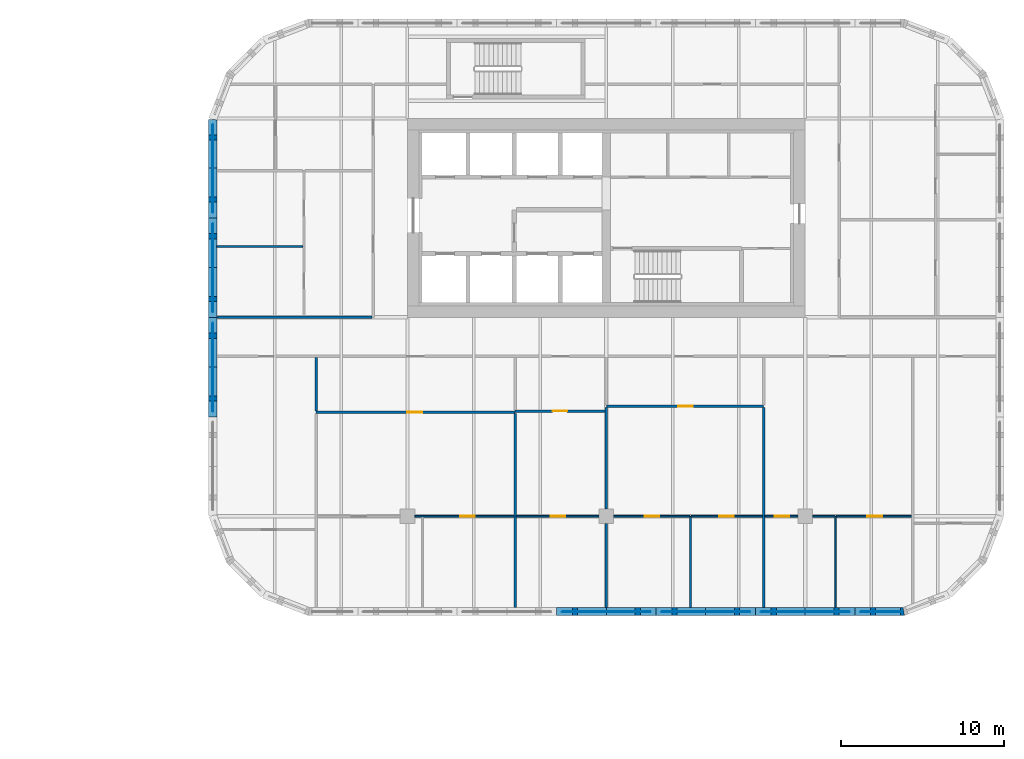
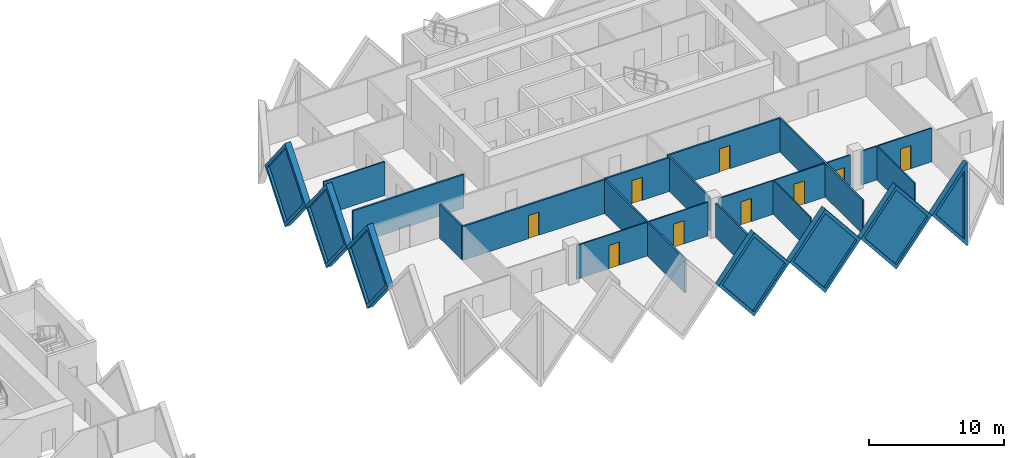
# One storey, part 12 of 19: 26 walls, 9 doors, 7 plates, 16 openings.
"""IFC4 building model written with IfcOpenShell, lengths in metres."""

from ifc_helpers import new_model, si_unit, direction, frame, frame_2d, origin, place, context, subcontext, project, spatial, polyline, rectangle, outline, extrude, faceted_brep, source, transform, mapped, material, layer, layer_set, type_object, element, fill, save


model = new_model("IFC4")

# Units and contexts
model_context = context("Model", 3, precision=1e-05, world=origin(), true_north=direction((0.0, 1.0)))
body_context = subcontext(model_context, "Body", "Model", "MODEL_VIEW")
ifc_project = project(units=[si_unit("LENGTHUNIT", "METRE"), si_unit("AREAUNIT", "SQUARE_METRE"), si_unit("VOLUMEUNIT", "CUBIC_METRE"), si_unit("PLANEANGLEUNIT", "RADIAN"), si_unit("MASSUNIT", "GRAM", prefix="KILO")], contexts=[model_context])

# Site, building, storey
site_placement = place(None, origin())
site = spatial("IfcSite", under=ifc_project, at=site_placement, CompositionType="ELEMENT")
building_placement = place(site_placement, origin())
building = spatial("IfcBuilding", under=site, at=building_placement, Name="Tessera Gate Towers", CompositionType="ELEMENT")
storey_placement = place(building_placement, frame((0.0, 0.0, 33.39990234375)))
storey = spatial("IfcBuildingStorey", under=building, at=storey_placement, Name="L07", CompositionType="ELEMENT", Elevation=33.39990234375)

# Walls
ifc_material_1 = material(Name="Gypsum board on steel studs, mineral wool", Category="steel")
ifc_layer_1 = layer(ifc_material_1, 0.14990234375)
ifc_layer_set_1 = layer_set([ifc_layer_1], Name="CORRIDOR WALL 150")
wall_type_1 = type_object("IfcWallType", Name="CORRIDOR WALL 150", PredefinedType="PARTITIONING", material=ifc_layer_set_1)
wall_1_placement = place(storey_placement, frame((85.89990234375, 36.60009765625, 0.0), z_axis=(0.0, 0.0, 1.0), x_axis=(1.0, 0.0, 0.0)))
element("IfcWall", 1, at=wall_1_placement, inside=storey, type_object=wall_type_1, Name="T2-L07-PW-028", PredefinedType="PARTITIONING", context=body_context, shape_type="SweptSolid", body=[
    extrude(rectangle(XDim=9.524169921875, YDim=0.14990234375, at=frame_2d((4.76220703125, 0.0))), origin(), (0.0, 0.0, 1.0), 3.067138671875),
])
ifc_material_2 = material(Name="Gypsum board on steel studs", Category="steel")
ifc_layer_2 = layer(ifc_material_2, 0.10009765625)
ifc_layer_set_2 = layer_set([ifc_layer_2], Name="PARTITION 100")
wall_type_2 = type_object("IfcWallType", Name="PARTITION 100", PredefinedType="PARTITIONING", material=ifc_layer_set_2)
for number, where, z_axis, x_axis, name in (
    (2, (114.962890625, 18.800048828125, 0.0), (0.0, 0.0, 1.0), (0.0, 1.0, 0.0), "T2-L07-PW-005"),
    (3, (123.8701171875, 18.800048828125, 0.0), (0.0, 0.0, 1.0), (0.0, 1.0, 0.0), "T2-L07-PW-007"),
):
    element("IfcWall", number, at=place(storey_placement, frame(where, z_axis=z_axis, x_axis=x_axis)), inside=storey, type_object=wall_type_2, Name=name, PredefinedType="PARTITIONING", context=body_context, shape_type="SweptSolid", body=[
        extrude(rectangle(XDim=5.599853515625, YDim=0.10009765625, at=frame_2d((2.7998046875, 0.0))), origin(), (0.0, 0.0, 1.0), 3.067138671875),
    ])

# Wall, opening, door
wall_2_placement = place(storey_placement, frame((104.1240234375, 24.39990234375, 0.0), z_axis=(0.0, 0.0, 1.0), x_axis=(-1.0, 0.0, 0.0)))
wall_2 = element("IfcWall", 4, at=wall_2_placement, inside=storey, type_object=wall_type_2, Name="T2-L07-PW-012", PredefinedType="PARTITIONING", context=body_context, shape_type="SweptSolid", body=[
    extrude(rectangle(XDim=6.072998046875, YDim=0.10009765625, at=frame_2d((3.03662109375, 0.0))), origin(), (0.0, 0.0, 1.0), 3.067138671875),
])
shared_shape_1 = source(origin(), body_context, "Body", "SweptSolid", [
    extrude(rectangle(XDim=0.89990234375, YDim=2.10009765625, at=frame_2d((0.449951171875, 1.050048828125))), frame((0.0, 0.06005859375, 0.0), z_axis=(0.0, -1.0, 0.0), x_axis=(1.0, 0.0, 0.0)), (0.0, 0.0, 1.0), 0.1201171875),
])
opening_1_placement = place(wall_2_placement, frame((2.39599609375, 0.0, 0.0)))
opening_1 = element("IfcOpeningElement", 5, at=opening_1_placement, cuts=wall_2, Name="Opening D190-B03-12", PredefinedType="OPENING", context=body_context, shape_type="MappedRepresentation", body=[
    mapped(shared_shape_1, transform((0.0, 0.0, 0.0), scale=1.0)),
])
ifc_material_3 = material(Name="Timber door leaf in steel frame", Category="steel")
door_type = type_object("IfcDoorType", Name="INTERNAL DOOR 900 NOT RATED", OperationType="NOTDEFINED", PredefinedType="DOOR", material=ifc_material_3)
shared_shape_2 = source(origin(), body_context, "Body", "SweptSolid", [
    extrude(rectangle(XDim=0.89990234375, YDim=2.10009765625, at=frame_2d((0.449951171875, 1.050048828125))), frame((0.0, 0.02490234375, 0.0), z_axis=(0.0, -1.0, 0.0), x_axis=(1.0, 0.0, 0.0)), (0.0, 0.0, 1.0), 0.050048828125),
])
door_1_placement = place(opening_1_placement, origin())
door_1 = element("IfcDoor", 6, at=door_1_placement, inside=storey, type_object=door_type, Name="T2-L07-PD-015", OperationType="SINGLE_SWING_RIGHT", OverallHeight=2.10009765625, OverallWidth=0.89990234375, PredefinedType="DOOR", context=body_context, shape_type="MappedRepresentation", body=[
    mapped(shared_shape_2, transform((0.0, 0.0, 0.0), scale=1.0)),
])
fill(opening_1, door_1)

wall_3_placement = place(storey_placement, frame((109.34912109375, 24.39990234375, 0.0), z_axis=(0.0, 0.0, 1.0), x_axis=(-1.0, 0.0, 0.0)))
wall_3 = element("IfcWall", 7, at=wall_3_placement, inside=storey, type_object=wall_type_2, Name="T2-L07-PW-013", PredefinedType="PARTITIONING", context=body_context, shape_type="SweptSolid", body=[
    extrude(rectangle(XDim=5.0732421875, YDim=0.10009765625, at=frame_2d((2.53662109375, 0.0))), origin(), (0.0, 0.0, 1.0), 3.067138671875),
])
opening_2_placement = place(wall_3_placement, frame((2.072998046875, 0.0, 0.0)))
opening_2 = element("IfcOpeningElement", 8, at=opening_2_placement, cuts=wall_3, Name="Opening D190-B03-08", PredefinedType="OPENING", context=body_context, shape_type="MappedRepresentation", body=[
    mapped(shared_shape_1, transform((0.0, 0.0, 0.0), scale=1.0)),
])
door_2_placement = place(opening_2_placement, origin())
door_2 = element("IfcDoor", 9, at=door_2_placement, inside=storey, type_object=door_type, Name="T2-L07-PD-009", OperationType="SINGLE_SWING_RIGHT", OverallHeight=2.10009765625, OverallWidth=0.89990234375, PredefinedType="DOOR", context=body_context, shape_type="MappedRepresentation", body=[
    mapped(shared_shape_2, transform((0.0, 0.0, 0.0), scale=1.0)),
])
fill(opening_2, door_2)

wall_4_placement = place(storey_placement, frame((114.91162109375, 24.39990234375, 0.0), z_axis=(0.0, 0.0, 1.0), x_axis=(-1.0, 0.0, 0.0)))
wall_4 = element("IfcWall", 10, at=wall_4_placement, inside=storey, type_object=wall_type_2, Name="T2-L07-PW-014", PredefinedType="PARTITIONING", context=body_context, shape_type="SweptSolid", body=[
    extrude(rectangle(XDim=4.66064453125, YDim=0.10009765625, at=frame_2d((2.330322265625, 0.0))), origin(), (0.0, 0.0, 1.0), 3.067138671875),
])
opening_3_placement = place(wall_4_placement, frame((1.860595703125, 0.0, 0.0)))
opening_3 = element("IfcOpeningElement", 11, at=opening_3_placement, cuts=wall_4, Name="Opening D190-B03-07", PredefinedType="OPENING", context=body_context, shape_type="MappedRepresentation", body=[
    mapped(shared_shape_1, transform((0.0, 0.0, 0.0), scale=1.0)),
])
door_3_placement = place(opening_3_placement, origin())
door_3 = element("IfcDoor", 12, at=door_3_placement, inside=storey, type_object=door_type, Name="T2-L07-PD-007", OperationType="SINGLE_SWING_RIGHT", OverallHeight=2.10009765625, OverallWidth=0.89990234375, PredefinedType="DOOR", context=body_context, shape_type="MappedRepresentation", body=[
    mapped(shared_shape_2, transform((0.0, 0.0, 0.0), scale=1.0)),
])
fill(opening_3, door_3)

wall_5_placement = place(storey_placement, frame((119.3740234375, 24.39990234375, 0.0), z_axis=(0.0, 0.0, 1.0), x_axis=(-1.0, 0.0, 0.0)))
wall_5 = element("IfcWall", 13, at=wall_5_placement, inside=storey, type_object=wall_type_2, Name="T2-L07-PW-015", PredefinedType="PARTITIONING", context=body_context, shape_type="SweptSolid", body=[
    extrude(rectangle(XDim=4.360107421875, YDim=0.10009765625, at=frame_2d((2.18017578125, 0.0))), origin(), (0.0, 0.0, 1.0), 3.067138671875),
])
opening_4_placement = place(wall_5_placement, frame((1.76025390625, 0.0, 0.0)))
opening_4 = element("IfcOpeningElement", 14, at=opening_4_placement, cuts=wall_5, Name="Opening D190-B03-04", PredefinedType="OPENING", context=body_context, shape_type="MappedRepresentation", body=[
    mapped(shared_shape_1, transform((0.0, 0.0, 0.0), scale=1.0)),
])
door_4_placement = place(opening_4_placement, origin())
door_4 = element("IfcDoor", 15, at=door_4_placement, inside=storey, type_object=door_type, Name="T2-L07-PD-004", OperationType="SINGLE_SWING_RIGHT", OverallHeight=2.10009765625, OverallWidth=0.89990234375, PredefinedType="DOOR", context=body_context, shape_type="MappedRepresentation", body=[
    mapped(shared_shape_2, transform((0.0, 0.0, 0.0), scale=1.0)),
])
fill(opening_4, door_4)

wall_6_placement = place(storey_placement, frame((121.549072265625, 24.39990234375, 0.0), z_axis=(0.0, 0.0, 1.0), x_axis=(-1.0, 0.0, 0.0)))
wall_6 = element("IfcWall", 16, at=wall_6_placement, inside=storey, type_object=wall_type_2, Name="T2-L07-PW-016", PredefinedType="PARTITIONING", context=body_context, shape_type="SweptSolid", body=[
    extrude(rectangle(XDim=2.023193359375, YDim=0.10009765625, at=frame_2d((1.01171875, 0.0))), origin(), (0.0, 0.0, 1.0), 3.067138671875),
])
opening_5_placement = place(wall_6_placement, frame((0.52294921875, 0.0, 0.0)))
opening_5 = element("IfcOpeningElement", 17, at=opening_5_placement, cuts=wall_6, Name="Opening D190-B03-01", PredefinedType="OPENING", context=body_context, shape_type="MappedRepresentation", body=[
    mapped(shared_shape_1, transform((0.0, 0.0, 0.0), scale=1.0)),
])
door_5_placement = place(opening_5_placement, origin())
door_5 = element("IfcDoor", 18, at=door_5_placement, inside=storey, type_object=door_type, Name="T2-L07-PD-001", OperationType="SINGLE_SWING_RIGHT", OverallHeight=2.10009765625, OverallWidth=0.89990234375, PredefinedType="DOOR", context=body_context, shape_type="MappedRepresentation", body=[
    mapped(shared_shape_2, transform((0.0, 0.0, 0.0), scale=1.0)),
])
fill(opening_5, door_5)

# Wall
wall_7_placement = place(storey_placement, frame((122.450927734375, 24.39990234375, 0.0), z_axis=(0.0, 0.0, 1.0), x_axis=(1.0, 0.0, 0.0)))
element("IfcWall", 19, at=wall_7_placement, inside=storey, type_object=wall_type_2, Name="T2-L07-PW-017", PredefinedType="PARTITIONING", context=body_context, shape_type="SweptSolid", body=[
    extrude(rectangle(XDim=1.368408203125, YDim=0.10009765625, at=frame_2d((0.68408203125, 0.0))), origin(), (0.0, 0.0, 1.0), 3.067138671875),
])

# Wall, opening, door
wall_8_placement = place(storey_placement, frame((128.52392578125, 24.39990234375, 0.0), z_axis=(0.0, 0.0, 1.0), x_axis=(-1.0, 0.0, 0.0)))
wall_8 = element("IfcWall", 20, at=wall_8_placement, inside=storey, type_object=wall_type_2, Name="T2-L07-PW-018", PredefinedType="PARTITIONING", context=body_context, shape_type="SweptSolid", body=[
    extrude(rectangle(XDim=4.6025390625, YDim=0.10009765625, at=frame_2d((2.30126953125, 0.0))), origin(), (0.0, 0.0, 1.0), 3.067138671875),
])
opening_6_placement = place(wall_8_placement, frame((1.802734375, 0.0, 0.0)))
opening_6 = element("IfcOpeningElement", 21, at=opening_6_placement, cuts=wall_8, Name="Opening D190-B03-05", PredefinedType="OPENING", context=body_context, shape_type="MappedRepresentation", body=[
    mapped(shared_shape_1, transform((0.0, 0.0, 0.0), scale=1.0)),
])
door_6_placement = place(opening_6_placement, origin())
door_6 = element("IfcDoor", 22, at=door_6_placement, inside=storey, type_object=door_type, Name="T2-L07-PD-005", OperationType="SINGLE_SWING_RIGHT", OverallHeight=2.10009765625, OverallWidth=0.89990234375, PredefinedType="DOOR", context=body_context, shape_type="MappedRepresentation", body=[
    mapped(shared_shape_2, transform((0.0, 0.0, 0.0), scale=1.0)),
])
fill(opening_6, door_6)

# Walls
wall_9_placement = place(storey_placement, frame((85.89990234375, 40.947998046875, 0.0), z_axis=(0.0, 0.0, 1.0), x_axis=(1.0, 0.0, 0.0)))
element("IfcWall", 23, at=wall_9_placement, inside=storey, type_object=wall_type_2, Name="T2-L07-PW-034", PredefinedType="PARTITIONING", context=body_context, shape_type="SweptSolid", body=[
    extrude(rectangle(XDim=5.274169921875, YDim=0.10009765625, at=frame_2d((2.63720703125, 0.0))), origin(), (0.0, 0.0, 1.0), 3.067138671875),
])
ifc_material_4 = material(Name="Gypsum board on steel studs, mineral wool", Category="steel")
ifc_layer_3 = layer(ifc_material_4, 0.14990234375)
ifc_layer_set_3 = layer_set([ifc_layer_3], Name="TENANCY WALL 150")
wall_type_3 = type_object("IfcWallType", Name="TENANCY WALL 150", PredefinedType="PARTITIONING", material=ifc_layer_set_3)
wall_10_placement = place(storey_placement, frame((104.199951171875, 18.800048828125, 0.0), z_axis=(0.0, 0.0, 1.0), x_axis=(0.0, 1.0, 0.0)))
element("IfcWall", 24, at=wall_10_placement, inside=storey, type_object=wall_type_3, Name="T2-L07-PW-003", PredefinedType="PARTITIONING", context=body_context, shape_type="SweptSolid", body=[
    extrude(rectangle(XDim=11.89892578125, YDim=0.14990234375, at=frame_2d((5.949462890625, 0.0))), origin(), (0.0, 0.0, 1.0), 3.067138671875),
])
wall_11_placement = place(storey_placement, frame((109.800048828125, 18.800048828125, 0.0), z_axis=(0.0, 0.0, 1.0), x_axis=(0.0, 1.0, 0.0)))
element("IfcWall", 25, at=wall_11_placement, inside=storey, type_object=wall_type_3, Name="T2-L07-PW-004", PredefinedType="PARTITIONING", context=body_context, shape_type="SweptSolid", body=[
    extrude(rectangle(XDim=5.14892578125, YDim=0.14990234375, at=frame_2d((2.574462890625, 0.0))), origin(), (0.0, 0.0, 1.0), 3.067138671875),
])
wall_12_placement = place(storey_placement, frame((119.449951171875, 18.800048828125, 0.0), z_axis=(0.0, 0.0, 1.0), x_axis=(0.0, 1.0, 0.0)))
element("IfcWall", 26, at=wall_12_placement, inside=storey, type_object=wall_type_3, Name="T2-L07-PW-006", PredefinedType="PARTITIONING", context=body_context, shape_type="SweptSolid", body=[
    extrude(rectangle(XDim=12.27392578125, YDim=0.14990234375, at=frame_2d((6.136962890625, 0.0))), origin(), (0.0, 0.0, 1.0), 3.067138671875),
])
wall_13_placement = place(storey_placement, frame((109.800048828125, 24.85107421875, 0.0), z_axis=(0.0, 0.0, 1.0), x_axis=(0.0, 1.0, 0.0)))
element("IfcWall", 27, at=wall_13_placement, inside=storey, type_object=wall_type_3, Name="T2-L07-PW-019", PredefinedType="PARTITIONING", context=body_context, shape_type="SweptSolid", body=[
    extrude(rectangle(XDim=6.222900390625, YDim=0.14990234375, at=frame_2d((3.111328125, 0.0))), origin(), (0.0, 0.0, 1.0), 3.067138671875),
])

# Wall, opening, door
wall_14_placement = place(storey_placement, frame((104.199951171875, 30.77490234375, 0.0), z_axis=(0.0, 0.0, 1.0), x_axis=(-1.0, 0.0, 0.0)))
wall_14 = element("IfcWall", 28, at=wall_14_placement, inside=storey, type_object=wall_type_3, Name="T2-L07-PW-020", PredefinedType="PARTITIONING", context=body_context, shape_type="SweptSolid", body=[
    extrude(rectangle(XDim=12.199951171875, YDim=0.14990234375, at=frame_2d((6.10009765625, 0.0))), origin(), (0.0, 0.0, 1.0), 3.067138671875),
])
shared_shape_3 = source(origin(), body_context, "Body", "SweptSolid", [
    extrude(rectangle(XDim=0.89990234375, YDim=2.10009765625, at=frame_2d((0.449951171875, 1.050048828125))), frame((0.0, 0.0849609375, 0.0), z_axis=(0.0, -1.0, 0.0), x_axis=(1.0, 0.0, 0.0)), (0.0, 0.0, 1.0), 0.169921875),
])
opening_7_placement = place(wall_14_placement, frame((5.699951171875, 0.0, 0.0)))
opening_7 = element("IfcOpeningElement", 29, at=opening_7_placement, cuts=wall_14, Name="Opening D190-B03-17", PredefinedType="OPENING", context=body_context, shape_type="MappedRepresentation", body=[
    mapped(shared_shape_3, transform((0.0, 0.0, 0.0), scale=1.0)),
])
door_7_placement = place(opening_7_placement, origin())
door_7 = element("IfcDoor", 30, at=door_7_placement, inside=storey, type_object=door_type, Name="T2-L07-PD-027", OperationType="SINGLE_SWING_RIGHT", OverallHeight=2.10009765625, OverallWidth=0.89990234375, PredefinedType="DOOR", context=body_context, shape_type="MappedRepresentation", body=[
    mapped(shared_shape_2, transform((0.0, 0.0, 0.0), scale=1.0)),
])
fill(opening_7, door_7)

# Wall
wall_15_placement = place(storey_placement, frame((92.0, 30.85107421875, 0.0), z_axis=(0.0, 0.0, 1.0), x_axis=(0.0, 1.0, 0.0)))
element("IfcWall", 31, at=wall_15_placement, inside=storey, type_object=wall_type_3, Name="T2-L07-PW-021", PredefinedType="PARTITIONING", context=body_context, shape_type="SweptSolid", body=[
    extrude(rectangle(XDim=3.27294921875, YDim=0.14990234375, at=frame_2d((1.636474609375, 0.0))), origin(), (0.0, 0.0, 1.0), 3.067138671875),
])

# Wall, opening, door
wall_16_placement = place(storey_placement, frame((109.72412109375, 30.85009765625, 0.0), z_axis=(0.0, 0.0, 1.0), x_axis=(-1.0, 0.0, 0.0)))
wall_16 = element("IfcWall", 32, at=wall_16_placement, inside=storey, type_object=wall_type_3, Name="T2-L07-PW-022", PredefinedType="PARTITIONING", context=body_context, shape_type="SweptSolid", body=[
    extrude(rectangle(XDim=5.523193359375, YDim=0.14990234375, at=frame_2d((2.76171875, 0.0))), origin(), (0.0, 0.0, 1.0), 3.067138671875),
])
opening_8_placement = place(wall_16_placement, frame((2.322998046875, 0.0, 0.0)))
opening_8 = element("IfcOpeningElement", 33, at=opening_8_placement, cuts=wall_16, Name="Opening D190-B03-10", PredefinedType="OPENING", context=body_context, shape_type="MappedRepresentation", body=[
    mapped(shared_shape_3, transform((0.0, 0.0, 0.0), scale=1.0)),
])
door_8_placement = place(opening_8_placement, origin())
door_8 = element("IfcDoor", 34, at=door_8_placement, inside=storey, type_object=door_type, Name="T2-L07-PD-013", OperationType="SINGLE_SWING_RIGHT", OverallHeight=2.10009765625, OverallWidth=0.89990234375, PredefinedType="DOOR", context=body_context, shape_type="MappedRepresentation", body=[
    mapped(shared_shape_2, transform((0.0, 0.0, 0.0), scale=1.0)),
])
fill(opening_8, door_8)

wall_17_placement = place(storey_placement, frame((119.449951171875, 31.14990234375, 0.0), z_axis=(0.0, 0.0, 1.0), x_axis=(-1.0, 0.0, 0.0)))
wall_17 = element("IfcWall", 35, at=wall_17_placement, inside=storey, type_object=wall_type_3, Name="T2-L07-PW-024", PredefinedType="PARTITIONING", context=body_context, shape_type="SweptSolid", body=[
    extrude(rectangle(XDim=9.64990234375, YDim=0.14990234375, at=frame_2d((4.824951171875, 0.0))), origin(), (0.0, 0.0, 1.0), 3.067138671875),
])
opening_9_placement = place(wall_17_placement, frame((4.35009765625, 0.0, 0.0)))
opening_9 = element("IfcOpeningElement", 36, at=opening_9_placement, cuts=wall_17, Name="Opening D190-B03-16", PredefinedType="OPENING", context=body_context, shape_type="MappedRepresentation", body=[
    mapped(shared_shape_3, transform((0.0, 0.0, 0.0), scale=1.0)),
])
door_9_placement = place(opening_9_placement, origin())
door_9 = element("IfcDoor", 37, at=door_9_placement, inside=storey, type_object=door_type, Name="T2-L07-PD-024", OperationType="SINGLE_SWING_RIGHT", OverallHeight=2.10009765625, OverallWidth=0.89990234375, PredefinedType="DOOR", context=body_context, shape_type="MappedRepresentation", body=[
    mapped(shared_shape_2, transform((0.0, 0.0, 0.0), scale=1.0)),
])
fill(opening_9, door_9)

# Wall, opening, plate
ifc_material_5 = material(Name="Precast concrete C60/75 white", Category="concrete")
ifc_layer_4 = layer(ifc_material_5, 0.5)
ifc_layer_set_4 = layer_set([ifc_layer_4], Name="TS1 tessera")
wall_type_4 = type_object("IfcWallType", Name="TS1 tessera", PredefinedType="SOLIDWALL", material=ifc_layer_set_4)
shared_shape_4 = source(origin(), body_context, "Body", "Brep", [
    faceted_brep([(3.050048828125, -0.25, 0.0), (6.099853515625, -0.25, 3.799560546875), (6.099853515625, -0.25, 3.800048828125), (3.050048828125, -0.25, 7.599853515625), (0.0, -0.25, 3.7998046875), (0.0, 0.25, 3.7998046875), (3.050048828125, 0.25, 7.599853515625), (6.099853515625, 0.25, 3.800048828125), (6.099853515625, 0.25, 3.799560546875), (3.050048828125, 0.25, 0.0)], [[[0, 1, 2, 3, 4]], [[5, 6, 7, 8, 9]], [[9, 8, 1, 0]], [[7, 6, 3, 2]], [[6, 5, 4, 3]], [[5, 9, 0, 4]], [[1, 8, 7, 2]]]),
])
wall_18_placement = place(storey_placement, frame((112.85009765625, 18.550048828125, -3.7998046875), z_axis=(0.0, 0.0, 1.0), x_axis=(1.0, 0.0, 0.0)))
wall_18 = element("IfcWall", 38, at=wall_18_placement, inside=storey, type_object=wall_type_4, Name="Precast tessera T2 TS1-0039", PredefinedType="SOLIDWALL", context=body_context, shape_type="MappedRepresentation", body=[
    mapped(shared_shape_4, transform((0.0, 0.0, 0.0), scale=1.0)),
])
shared_shape_5 = source(origin(), body_context, "Body", "SweptSolid", [
    extrude(outline(polyline([(3.050048828125, 0.3994140625), (5.779541015625, 3.7998046875), (3.050048828125, 7.200439453125), (0.320556640625, 3.7998046875), (3.050048828125, 0.3994140625)])), frame((0.0, 0.260009765625, 0.0), z_axis=(0.0, -1.0, 0.0), x_axis=(1.0, 0.0, 0.0)), (0.0, 0.0, 1.0), 0.52001953125),
])
opening_10_placement = place(wall_18_placement, origin())
opening_10 = element("IfcOpeningElement", 39, at=opening_10_placement, cuts=wall_18, Name="Opening T2-PL2-0073", PredefinedType="OPENING", context=body_context, shape_type="MappedRepresentation", body=[
    mapped(shared_shape_5, transform((0.0, 0.0, 0.0), scale=1.0)),
])
ifc_material_6 = material(Name="Low-e laminated glass", Category="glass")
ifc_layer_5 = layer(ifc_material_6, 0.06005859375)
ifc_layer_set_5 = layer_set([ifc_layer_5], Name="PL2 rhombic pane")
plate_type = type_object("IfcPlateType", Name="PL2 rhombic pane", PredefinedType="SHEET", material=ifc_layer_set_5)
shared_shape_6 = source(origin(), body_context, "Body", "SweptSolid", [
    extrude(outline(polyline([(3.050048828125, 0.3994140625), (5.779541015625, 3.7998046875), (3.050048828125, 7.200439453125), (0.320556640625, 3.7998046875), (3.050048828125, 0.3994140625)])), frame((0.0, 0.030029296875, 0.0), z_axis=(0.0, -1.0, 0.0), x_axis=(1.0, 0.0, 0.0)), (0.0, 0.0, 1.0), 0.06005859375),
])
plate_1_placement = place(opening_10_placement, origin())
plate_1 = element("IfcPlate", 40, at=plate_1_placement, inside=storey, type_object=plate_type, Name="Glass pane T2 PL2-0073", PredefinedType="SHEET", context=body_context, shape_type="MappedRepresentation", body=[
    mapped(shared_shape_6, transform((0.0, 0.0, 0.0), scale=1.0)),
])
fill(opening_10, plate_1)

wall_19_placement = place(storey_placement, frame((85.64990234375, 42.699951171875, -3.7998046875), z_axis=(0.0, 0.0, 1.0), x_axis=(0.0, -1.0, 0.0)))
wall_19 = element("IfcWall", 41, at=wall_19_placement, inside=storey, type_object=wall_type_4, Name="Precast tessera T2 TS1-0051", PredefinedType="SOLIDWALL", context=body_context, shape_type="MappedRepresentation", body=[
    mapped(shared_shape_4, transform((0.0, 0.0, 0.0), scale=1.0)),
])
opening_11_placement = place(wall_19_placement, origin())
opening_11 = element("IfcOpeningElement", 42, at=opening_11_placement, cuts=wall_19, Name="Opening T2-PL2-0097", PredefinedType="OPENING", context=body_context, shape_type="MappedRepresentation", body=[
    mapped(shared_shape_5, transform((0.0, 0.0, 0.0), scale=1.0)),
])
plate_2_placement = place(opening_11_placement, origin())
plate_2 = element("IfcPlate", 43, at=plate_2_placement, inside=storey, type_object=plate_type, Name="Glass pane T2 PL2-0097", PredefinedType="SHEET", context=body_context, shape_type="MappedRepresentation", body=[
    mapped(shared_shape_6, transform((0.0, 0.0, 0.0), scale=1.0)),
])
fill(opening_11, plate_2)

shared_shape_7 = source(origin(), body_context, "Body", "SweptSolid", [
    extrude(outline(polyline([(3.050048828125, 0.0), (6.10009765625, 3.7998046875), (3.050048828125, 7.599853515625), (0.0, 3.7998046875), (3.050048828125, 0.0)])), frame((0.0, 0.25, 0.0), z_axis=(0.0, -1.0, 0.0), x_axis=(1.0, 0.0, 0.0)), (0.0, 0.0, 1.0), 0.5),
])
wall_20_placement = place(storey_placement, frame((106.75, 18.550048828125, -3.7998046875), z_axis=(0.0, 0.0, 1.0), x_axis=(1.0, 0.0, 0.0)))
wall_20 = element("IfcWall", 44, at=wall_20_placement, inside=storey, type_object=wall_type_4, Name="Precast tessera T2 TS1-0038", PredefinedType="SOLIDWALL", context=body_context, shape_type="MappedRepresentation", body=[
    mapped(shared_shape_7, transform((0.0, 0.0, 0.0), scale=1.0)),
])
opening_12_placement = place(wall_20_placement, origin())
opening_12 = element("IfcOpeningElement", 45, at=opening_12_placement, cuts=wall_20, Name="Opening T2-PL2-0072", PredefinedType="OPENING", context=body_context, shape_type="MappedRepresentation", body=[
    mapped(shared_shape_5, transform((0.0, 0.0, 0.0), scale=1.0)),
])
plate_3_placement = place(opening_12_placement, origin())
plate_3 = element("IfcPlate", 46, at=plate_3_placement, inside=storey, type_object=plate_type, Name="Glass pane T2 PL2-0072", PredefinedType="SHEET", context=body_context, shape_type="MappedRepresentation", body=[
    mapped(shared_shape_6, transform((0.0, 0.0, 0.0), scale=1.0)),
])
fill(opening_12, plate_3)

wall_21_placement = place(storey_placement, frame((118.949951171875, 18.550048828125, -3.7998046875), z_axis=(0.0, 0.0, 1.0), x_axis=(1.0, 0.0, 0.0)))
wall_21 = element("IfcWall", 47, at=wall_21_placement, inside=storey, type_object=wall_type_4, Name="Precast tessera T2 TS1-0040", PredefinedType="SOLIDWALL", context=body_context, shape_type="MappedRepresentation", body=[
    mapped(shared_shape_7, transform((0.0, 0.0, 0.0), scale=1.0)),
])
opening_13_placement = place(wall_21_placement, origin())
opening_13 = element("IfcOpeningElement", 48, at=opening_13_placement, cuts=wall_21, Name="Opening T2-PL2-0074", PredefinedType="OPENING", context=body_context, shape_type="MappedRepresentation", body=[
    mapped(shared_shape_5, transform((0.0, 0.0, 0.0), scale=1.0)),
])
plate_4_placement = place(opening_13_placement, origin())
plate_4 = element("IfcPlate", 49, at=plate_4_placement, inside=storey, type_object=plate_type, Name="Glass pane T2 PL2-0074", PredefinedType="SHEET", context=body_context, shape_type="MappedRepresentation", body=[
    mapped(shared_shape_6, transform((0.0, 0.0, 0.0), scale=1.0)),
])
fill(opening_13, plate_4)

wall_22_placement = place(storey_placement, frame((85.64990234375, 36.60009765625, -3.7998046875), z_axis=(0.0, 0.0, 1.0), x_axis=(0.0, -1.0, 0.0)))
wall_22 = element("IfcWall", 50, at=wall_22_placement, inside=storey, type_object=wall_type_4, Name="Precast tessera T2 TS1-0052", PredefinedType="SOLIDWALL", context=body_context, shape_type="MappedRepresentation", body=[
    mapped(shared_shape_7, transform((0.0, 0.0, 0.0), scale=1.0)),
])
opening_14_placement = place(wall_22_placement, origin())
opening_14 = element("IfcOpeningElement", 51, at=opening_14_placement, cuts=wall_22, Name="Opening T2-PL2-0098", PredefinedType="OPENING", context=body_context, shape_type="MappedRepresentation", body=[
    mapped(shared_shape_5, transform((0.0, 0.0, 0.0), scale=1.0)),
])
plate_5_placement = place(opening_14_placement, origin())
plate_5 = element("IfcPlate", 52, at=plate_5_placement, inside=storey, type_object=plate_type, Name="Glass pane T2 PL2-0098", PredefinedType="SHEET", context=body_context, shape_type="MappedRepresentation", body=[
    mapped(shared_shape_6, transform((0.0, 0.0, 0.0), scale=1.0)),
])
fill(opening_14, plate_5)

ifc_material_7 = material(Name="Precast concrete C60/75 white", Category="concrete")
ifc_layer_6 = layer(ifc_material_7, 0.5)
ifc_layer_set_6 = layer_set([ifc_layer_6], Name="TS3 corner tessera")
wall_type_5 = type_object("IfcWallType", Name="TS3 corner tessera", PredefinedType="SOLIDWALL", material=ifc_layer_set_6)
shared_shape_8 = source(origin(), body_context, "Body", "Brep", [
    faceted_brep([(3.00341796875, -0.25, 0.0), (3.050048828125, -0.25, 0.06005859375), (3.050048828125, -0.25, 7.539794921875), (3.00341796875, -0.25, 7.599853515625), (0.0, -0.25, 3.7998046875), (0.0, 0.25, 3.7998046875), (2.956787109375, 0.25, 7.541015625), (2.956787109375, 0.25, 0.058837890625), (3.00341796875, 0.000244140625, 0.0), (3.00341796875, 0.000244140625, 7.599853515625)], [[[0, 1, 2, 3, 4]], [[5, 6, 7]], [[1, 0, 8]], [[9, 3, 2]], [[6, 5, 4, 3, 9]], [[5, 7, 8, 0, 4]], [[1, 8, 7, 6, 9, 2]]]),
])
wall_23_placement = place(storey_placement, frame((125.050048828125, 18.550048828125, -3.7998046875), z_axis=(0.0, 0.0, 1.0), x_axis=(1.0, 0.0, 0.0)))
wall_23 = element("IfcWall", 53, at=wall_23_placement, inside=storey, type_object=wall_type_5, Name="Precast corner tessera T2 TS3-0083", PredefinedType="SOLIDWALL", context=body_context, shape_type="MappedRepresentation", body=[
    mapped(shared_shape_8, transform((0.0, 0.0, 0.0), scale=1.0)),
])
shared_shape_9 = source(origin(), body_context, "Body", "SweptSolid", [
    extrude(outline(polyline([(2.803466796875, 6.943603515625), (0.318603515625, 3.7998046875), (2.803466796875, 0.656005859375), (2.803466796875, 6.943603515625)])), frame((0.0, 0.260009765625, 0.0), z_axis=(0.0, -1.0, 0.0), x_axis=(1.0, 0.0, 0.0)), (0.0, 0.0, 1.0), 0.52001953125),
])
opening_15_placement = place(wall_23_placement, origin())
opening_15 = element("IfcOpeningElement", 54, at=opening_15_placement, cuts=wall_23, Name="Opening T2-PL2-0075", PredefinedType="OPENING", context=body_context, shape_type="MappedRepresentation", body=[
    mapped(shared_shape_9, transform((0.0, 0.0, 0.0), scale=1.0)),
])
shared_shape_10 = source(origin(), body_context, "Body", "SweptSolid", [
    extrude(outline(polyline([(2.803466796875, 6.943603515625), (0.318603515625, 3.7998046875), (2.803466796875, 0.656005859375), (2.803466796875, 6.943603515625)])), frame((0.0, 0.030029296875, 0.0), z_axis=(0.0, -1.0, 0.0), x_axis=(1.0, 0.0, 0.0)), (0.0, 0.0, 1.0), 0.06005859375),
])
plate_6_placement = place(opening_15_placement, origin())
plate_6 = element("IfcPlate", 55, at=plate_6_placement, inside=storey, type_object=plate_type, Name="Glass pane T2 PL2-0075", PredefinedType="SHEET", context=body_context, shape_type="MappedRepresentation", body=[
    mapped(shared_shape_10, transform((0.0, 0.0, 0.0), scale=1.0)),
])
fill(opening_15, plate_6)

shared_shape_11 = source(origin(), body_context, "Body", "Brep", [
    faceted_brep([(3.00341796875, -0.25, 0.0), (6.053466796875, -0.25, 3.7998046875), (3.00341796875, -0.25, 7.599853515625), (0.0, -0.25, 3.7998046875), (0.046630859375, 0.25, 3.858642578125), (3.00341796875, 0.25, 7.599853515625), (6.053466796875, 0.25, 3.7998046875), (3.00341796875, 0.25, 0.0), (0.046630859375, 0.25, 3.740966796875), (0.0, 0.0, 3.7998046875)], [[[0, 1, 2, 3]], [[4, 5, 6, 7, 8]], [[7, 6, 1, 0]], [[6, 5, 2, 1]], [[5, 4, 9, 3, 2]], [[8, 7, 0, 3, 9]], [[8, 9, 4]]]),
])
wall_24_placement = place(storey_placement, frame((85.64990234375, 48.75341796875, -3.7998046875), z_axis=(0.0, 0.0, 1.0), x_axis=(0.0, -1.0, 0.0)))
wall_24 = element("IfcWall", 56, at=wall_24_placement, inside=storey, type_object=wall_type_4, Name="Precast tessera T2 TS1-0050", PredefinedType="SOLIDWALL", context=body_context, shape_type="MappedRepresentation", body=[
    mapped(shared_shape_11, transform((0.0, 0.0, 0.0), scale=1.0)),
])
shared_shape_12 = source(origin(), body_context, "Body", "SweptSolid", [
    extrude(outline(polyline([(3.0048828125, 0.401123046875), (5.73291015625, 3.7998046875), (3.0048828125, 7.19873046875), (0.318603515625, 3.7998046875), (3.0048828125, 0.401123046875)])), frame((0.0, 0.260009765625, 0.0), z_axis=(0.0, -1.0, 0.0), x_axis=(1.0, 0.0, 0.0)), (0.0, 0.0, 1.0), 0.52001953125),
])
opening_16_placement = place(wall_24_placement, origin())
opening_16 = element("IfcOpeningElement", 57, at=opening_16_placement, cuts=wall_24, Name="Opening T2-PL2-0096", PredefinedType="OPENING", context=body_context, shape_type="MappedRepresentation", body=[
    mapped(shared_shape_12, transform((0.0, 0.0, 0.0), scale=1.0)),
])
shared_shape_13 = source(origin(), body_context, "Body", "SweptSolid", [
    extrude(outline(polyline([(3.0048828125, 0.401123046875), (5.73291015625, 3.7998046875), (3.0048828125, 7.19873046875), (0.318603515625, 3.7998046875), (3.0048828125, 0.401123046875)])), frame((0.0, 0.030029296875, 0.0), z_axis=(0.0, -1.0, 0.0), x_axis=(1.0, 0.0, 0.0)), (0.0, 0.0, 1.0), 0.06005859375),
])
plate_7_placement = place(opening_16_placement, origin())
plate_7 = element("IfcPlate", 58, at=plate_7_placement, inside=storey, type_object=plate_type, Name="Glass pane T2 PL2-0096", PredefinedType="SHEET", context=body_context, shape_type="MappedRepresentation", body=[
    mapped(shared_shape_13, transform((0.0, 0.0, 0.0), scale=1.0)),
])
fill(opening_16, plate_7)

save(model, "model.ifc")
